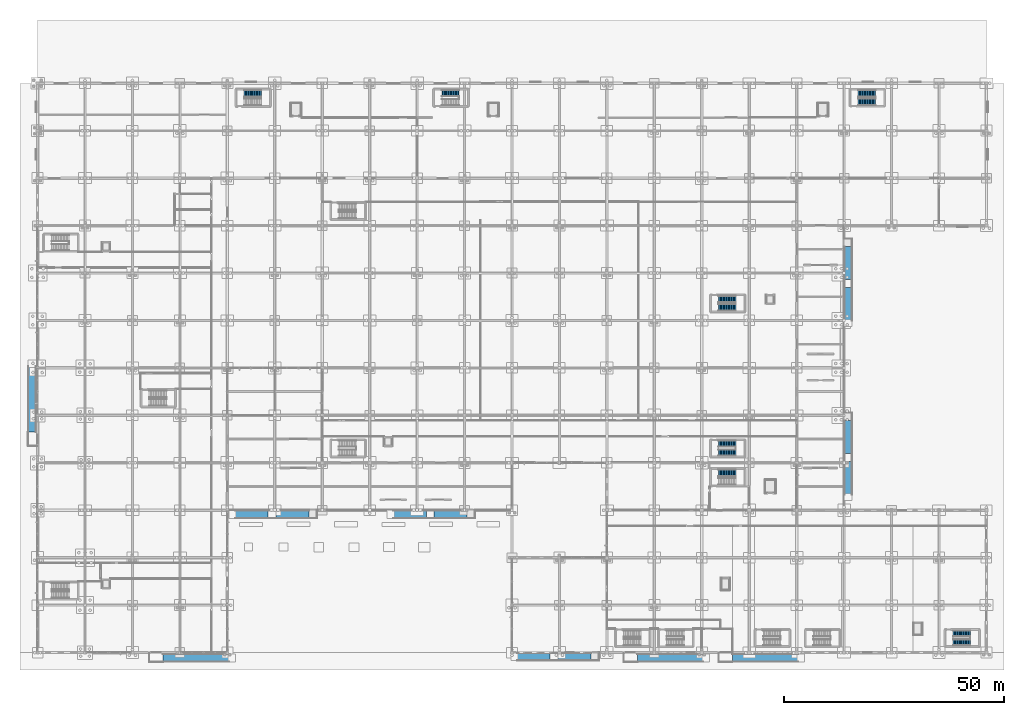
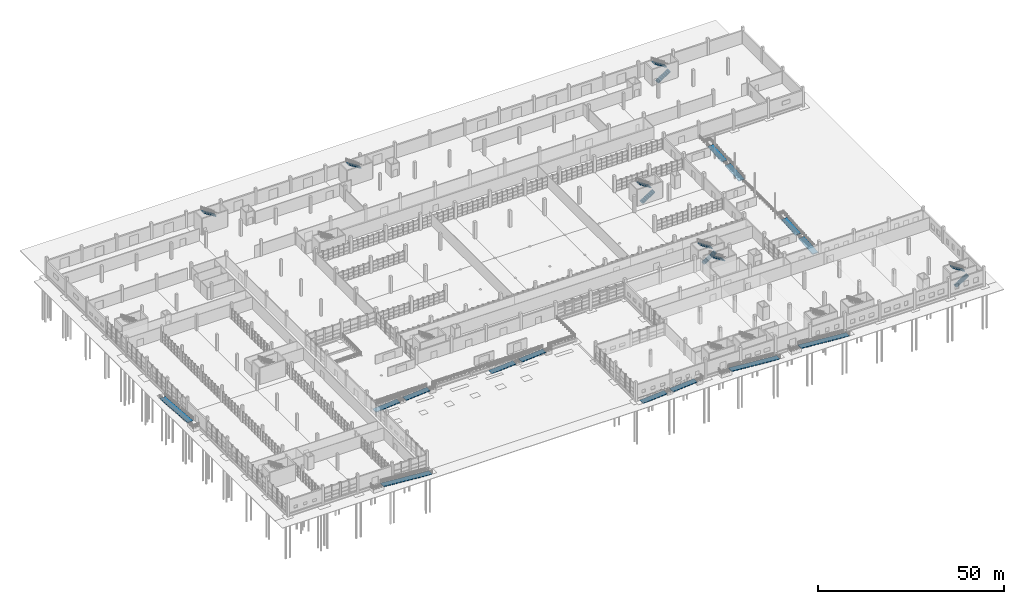
# One storey, part 118 of 138: 14 ramp flights, 11 stair flights, 16 elements without a shape of their own.
"""IFC4 building model written with IfcOpenShell, lengths in metres."""

import ifcopenshell
import ifcopenshell.guid

model = None  # the IFC model being written
_history = None  # IfcOwnerHistory: only IFC2X3 demands one
_inside = {}  # id of a spatial element -> (the spatial element, [elements in it])
_under = {}  # id of a project, library or spatial element -> (it, [spatial elements below it])
_declared = {}  # id of a project -> (the project, [libraries it declares])
_typed = {}  # id of a type object -> (the type object, [elements of that type])
_made_of = {}  # id of a material, layer set ... -> (it, [elements and type objects made of it])


def new_model(schema):
    """Start an empty IFC model of exactly this schema.

    Asked for "IFC4X3", IfcOpenShell would pick the latest addendum, in which some entities
    have other attributes; the version numbers below select the first issue.
    IFC2X3 requires an IfcOwnerHistory on every rooted entity: one is made here for all.
    """
    global model, _history
    if schema == "IFC4X3":
        model = ifcopenshell.file(schema_version=(4, 3, 0, 0))
    else:
        model = ifcopenshell.file(schema=schema)
    _inside.clear()
    _under.clear()
    _declared.clear()
    _typed.clear()
    _made_of.clear()
    _history = None
    if model.schema == "IFC2X3":
        org = make("IfcOrganization", Name="unknown")
        user = make(
            "IfcPersonAndOrganization",
            ThePerson=make("IfcPerson", FamilyName="unknown"),
            TheOrganization=org,
        )
        app = make(
            "IfcApplication",
            ApplicationDeveloper=org,
            Version="unknown",
            ApplicationFullName="unknown",
            ApplicationIdentifier="unknown",
        )
        _history = make(
            "IfcOwnerHistory",
            OwningUser=user,
            OwningApplication=app,
            ChangeAction="ADDED",
            CreationDate=0,
        )
    return model


def make(cls, **values):
    """One entity of the class cls with the attributes given. An attribute that is None is left unset."""
    return model.create_entity(
        cls, **{name: value for name, value in values.items() if value is not None}
    )


def rooted(cls, **values):
    """An entity with a GlobalId (a new one), such as an element, a storey or a relation."""
    return make(cls, GlobalId=ifcopenshell.guid.new(), OwnerHistory=_history, **values)


def si_unit(unit_type, name, prefix=None):
    """IfcSIUnit, for example si_unit("LENGTHUNIT", "METRE", prefix="MILLI")."""
    return make("IfcSIUnit", UnitType=unit_type, Prefix=prefix, Name=name)


def assignment(units):
    """IfcUnitAssignment: the units of a project."""
    return None if units is None else make("IfcUnitAssignment", Units=units)


def point(xyz):
    """IfcCartesianPoint."""
    return None if xyz is None else make("IfcCartesianPoint", Coordinates=xyz)


def direction(xyz):
    """IfcDirection."""
    return None if xyz is None else make("IfcDirection", DirectionRatios=xyz)


def frame(location, z_axis=None, x_axis=None):
    """IfcAxis2Placement3D, a coordinate frame: its origin and axes. An axis left out is left unset."""
    return make(
        "IfcAxis2Placement3D",
        Location=point(location),
        Axis=direction(z_axis),
        RefDirection=direction(x_axis),
    )


def origin():
    """The frame at (0, 0, 0) with its axes left unset."""
    return frame((0.0, 0.0, 0.0))


def place(relative_to, where):
    """IfcLocalPlacement: puts the frame where relative to a parent placement (None: the world)."""
    return make(
        "IfcLocalPlacement", PlacementRelTo=relative_to, RelativePlacement=where
    )


def context(
    kind, dimensions, precision=None, world=None, true_north=None, identifier=None
):
    """IfcGeometricRepresentationContext, for example the 3D "Model" context."""
    return make(
        "IfcGeometricRepresentationContext",
        ContextIdentifier=identifier,
        ContextType=kind,
        CoordinateSpaceDimension=dimensions,
        Precision=precision,
        WorldCoordinateSystem=world,
        TrueNorth=true_north,
    )


def subcontext(parent, identifier, kind, view, scale=None):
    """IfcGeometricRepresentationSubContext, for example "Body" below "Model"."""
    return make(
        "IfcGeometricRepresentationSubContext",
        ContextIdentifier=identifier,
        ContextType=kind,
        ParentContext=parent,
        TargetScale=scale,
        TargetView=view,
    )


def project(units=None, contexts=None):
    """IfcProject with its units and contexts."""
    return rooted(
        "IfcProject",
        Name="project",
        RepresentationContexts=contexts,
        UnitsInContext=assignment(units),
    )


def spatial(cls, under=None, at=None, **own):
    """A site, building, storey or space (cls), placed at a placement, below another one or the project."""
    s = rooted(cls, ObjectPlacement=at, **own)
    if under is not None:
        _under.setdefault(under.id(), (under, []))[1].append(s)
    return s


def polyline(points):
    """IfcPolyline through the points."""
    return make("IfcPolyline", Points=[point(p) for p in points])


def outline(outer, holes=None, kind="AREA"):
    """IfcArbitraryClosedProfileDef: a profile drawn as a closed curve; with holes, ...WithVoids."""
    if holes is None:
        return make("IfcArbitraryClosedProfileDef", ProfileType=kind, OuterCurve=outer)
    return make(
        "IfcArbitraryProfileDefWithVoids",
        ProfileType=kind,
        OuterCurve=outer,
        InnerCurves=holes,
    )


def extrude(swept, where, along, depth):
    """IfcExtrudedAreaSolid: the profile swept, set in the frame where, extruded along a direction by depth."""
    return make(
        "IfcExtrudedAreaSolid",
        SweptArea=swept,
        Position=where,
        ExtrudedDirection=direction(along),
        Depth=depth,
    )


def shape(context_of_items, identifier, shape_type, items):
    """IfcShapeRepresentation: the items that make up one representation, for example the "Body"."""
    return make(
        "IfcShapeRepresentation",
        ContextOfItems=context_of_items,
        RepresentationIdentifier=identifier,
        RepresentationType=shape_type,
        Items=items,
    )


def material(Name=None, Category=None):
    """IfcMaterial."""
    return make("IfcMaterial", Name=Name, Category=Category)


def layer(
    of_material, thickness, ventilated=None, Name=None, Category=None, Priority=None
):
    """IfcMaterialLayer: one layer of a wall or slab, of a material (None: an air gap)."""
    return make(
        "IfcMaterialLayer",
        Material=of_material,
        LayerThickness=thickness,
        IsVentilated=ventilated,
        Name=Name,
        Category=Category,
        Priority=Priority,
    )


def layer_set(layers, Name=None):
    """IfcMaterialLayerSet."""
    return make("IfcMaterialLayerSet", MaterialLayers=layers, LayerSetName=Name)


def made_of(thing, what):
    """Note that an element or type object is made of a material, layer set ...; save() writes the relation."""
    if what is not None:
        _made_of.setdefault(what.id(), (what, []))[1].append(thing)
    return thing


def type_object(cls, material=None, **own):
    """A type object (cls), such as IfcWallType, which elements share."""
    return made_of(rooted(cls, **own), material)


def element(
    cls,
    number,
    at=None,
    inside=None,
    cuts=None,
    type_object=None,
    material=None,
    context=None,
    identifier="Body",
    shape_type=None,
    held_by="IfcProductDefinitionShape",
    body=None,
    shapes=None,
    **own,
):
    """One element of the class cls, such as IfcWall. Its Tag is "e" and its number.

    at: its placement. inside: the storey or other place that contains it. cuts: it is an
    opening in that element (IfcRelVoidsElement). A single representation is given by context,
    identifier, shape_type and body (its items); several are given by shapes. held_by: the class
    of the entity that holds the representations. save() writes the other relations.
    """
    e = rooted(cls, Tag="e%d" % number, ObjectPlacement=at, **own)
    if body is not None:
        shapes = [shape(context, identifier, shape_type, body)]
    if shapes is not None:
        e.Representation = make(held_by, Representations=shapes)
    if inside is not None:
        _inside.setdefault(inside.id(), (inside, []))[1].append(e)
    if cuts is not None:
        rooted(
            "IfcRelVoidsElement", RelatingBuildingElement=cuts, RelatedOpeningElement=e
        )
    if type_object is not None:
        _typed.setdefault(type_object.id(), (type_object, []))[1].append(e)
    return made_of(e, material)


def aggregate(whole, parts):
    """IfcRelAggregates: a whole, such as a stair, and the parts it consists of."""
    return rooted("IfcRelAggregates", RelatingObject=whole, RelatedObjects=parts)


def save(model, path):
    """Write the relations noted so far, then the file.

    IfcRelAggregates (storeys below a building ...), IfcRelContainedInSpatialStructure (elements
    in a storey), IfcRelDefinesByType, IfcRelAssociatesMaterial and IfcRelDeclares: one each for
    every whole, place, type object, material and project.
    """
    for whole, parts in _under.values():
        aggregate(whole, parts)
    for where, things in _inside.values():
        rooted(
            "IfcRelContainedInSpatialStructure",
            RelatedElements=things,
            RelatingStructure=where,
        )
    for kind, things in _typed.values():
        rooted("IfcRelDefinesByType", RelatedObjects=things, RelatingType=kind)
    for what, things in _made_of.values():
        rooted("IfcRelAssociatesMaterial", RelatedObjects=things, RelatingMaterial=what)
    for by, libraries in _declared.values():
        rooted("IfcRelDeclares", RelatingContext=by, RelatedDefinitions=libraries)
    model.write(path)


model = new_model("IFC4")

# Units and contexts
model_context = context("Model", 3, precision=1e-05, world=origin(), true_north=direction((0.0, 1.0)))
body_context = subcontext(model_context, "Body", "Model", "MODEL_VIEW")
ifc_project = project(units=[si_unit("LENGTHUNIT", "METRE"), si_unit("AREAUNIT", "SQUARE_METRE"), si_unit("VOLUMEUNIT", "CUBIC_METRE"), si_unit("PLANEANGLEUNIT", "RADIAN"), si_unit("MASSUNIT", "GRAM", prefix="KILO")], contexts=[model_context])

# Site, building, storey
site_placement = place(None, origin())
site = spatial("IfcSite", under=ifc_project, at=site_placement, CompositionType="ELEMENT")
building_placement = place(site_placement, origin())
building = spatial("IfcBuilding", under=site, at=building_placement, Name="Zwinboog Wholesale Market", CompositionType="ELEMENT")
storey_placement = place(building_placement, origin())
storey = spatial("IfcBuildingStorey", under=building, at=storey_placement, Name="L00", CompositionType="ELEMENT", Elevation=0.0)

# Stair, stair flight
ifc_material = material(Name="Concrete C40/50", Category="concrete")
stair_type_1 = type_object("IfcStairType", Name="STT-DOG-145", PredefinedType="HALF_TURN_STAIR", material=ifc_material)
stair_1_placement = place(storey_placement, origin())
stair_1 = element("IfcStair", 1, at=stair_1_placement, inside=storey, type_object=stair_type_1, Name="Enclosed Escape Stair ST-04", PredefinedType="HALF_TURN_STAIR")
stair_flight_type_1 = type_object("IfcStairFlightType", Name="SFT-145", PredefinedType="STRAIGHT", material=ifc_material)
stair_flight_1_placement = place(storey_placement, frame((95.93994140625, 127.320068359375, 2.699951171875), z_axis=(0.0, 0.0, 1.0), x_axis=(-1.0, 0.0, 0.0)))
stair_flight_1 = element("IfcStairFlight", 2, at=stair_flight_1_placement, type_object=stair_flight_type_1, Name="ST-04 flight 2", NumberOfRisers=15, NumberOfTreads=14, PredefinedType="STRAIGHT", RiserHeight=0.18, TreadLength=0.28, context=body_context, shape_type="SweptSolid", body=[
    extrude(outline(polyline([(0.0, 0.0), (0.0, 0.179931640625), (0.280029296875, 0.179931640625), (0.280029296875, 0.360107421875), (0.56005859375, 0.360107421875), (0.56005859375, 0.5400390625), (0.840087890625, 0.5400390625), (0.840087890625, 0.719970703125), (1.1201171875, 0.719970703125), (1.1201171875, 0.89990234375), (1.39990234375, 0.89990234375), (1.39990234375, 1.080078125), (1.679931640625, 1.080078125), (1.679931640625, 1.260009765625), (1.9599609375, 1.260009765625), (1.9599609375, 1.43994140625), (2.239990234375, 1.43994140625), (2.239990234375, 1.6201171875), (2.52001953125, 1.6201171875), (2.52001953125, 1.800048828125), (2.800048828125, 1.800048828125), (2.800048828125, 1.97998046875), (3.080078125, 1.97998046875), (3.080078125, 2.159912109375), (3.360107421875, 2.159912109375), (3.360107421875, 2.340087890625), (3.639892578125, 2.340087890625), (3.639892578125, 2.52001953125), (3.919921875, 2.52001953125), (3.919921875, 2.699951171875), (3.919921875, 2.30615234375), (0.332763671875, 0.0), (0.0, 0.0)])), frame((0.0, 0.719970703125, 0.0), z_axis=(0.0, -1.0, 0.0), x_axis=(1.0, 0.0, 0.0)), (0.0, 0.0, 1.0), 1.43994140625),
])
aggregate(stair_1, [stair_flight_1])

# Stair, stair flights
stair_2_placement = place(storey_placement, origin())
stair_2 = element("IfcStair", 3, at=stair_2_placement, inside=storey, type_object=stair_type_1, Name="Enclosed Escape Stair ST-08A", PredefinedType="HALF_TURN_STAIR")
stair_flight_2_placement = place(storey_placement, frame((208.419921875, 2.280029296875, 0.0), z_axis=(0.0, 0.0, 1.0), x_axis=(1.0, 0.0, 0.0)))
stair_flight_2 = element("IfcStairFlight", 4, at=stair_flight_2_placement, type_object=stair_flight_type_1, Name="ST-08A flight 1", NumberOfRisers=15, NumberOfTreads=14, PredefinedType="STRAIGHT", RiserHeight=0.18, TreadLength=0.28, context=body_context, shape_type="SweptSolid", body=[
    extrude(outline(polyline([(0.0, 0.0), (0.0, 0.179931640625), (0.280029296875, 0.179931640625), (0.280029296875, 0.360107421875), (0.56005859375, 0.360107421875), (0.56005859375, 0.5400390625), (0.840087890625, 0.5400390625), (0.840087890625, 0.719970703125), (1.1201171875, 0.719970703125), (1.1201171875, 0.89990234375), (1.39990234375, 0.89990234375), (1.39990234375, 1.080078125), (1.679931640625, 1.080078125), (1.679931640625, 1.260009765625), (1.9599609375, 1.260009765625), (1.9599609375, 1.43994140625), (2.239990234375, 1.43994140625), (2.239990234375, 1.6201171875), (2.52001953125, 1.6201171875), (2.52001953125, 1.800048828125), (2.800048828125, 1.800048828125), (2.800048828125, 1.97998046875), (3.080078125, 1.97998046875), (3.080078125, 2.159912109375), (3.360107421875, 2.159912109375), (3.360107421875, 2.340087890625), (3.639892578125, 2.340087890625), (3.639892578125, 2.52001953125), (3.919921875, 2.52001953125), (3.919921875, 2.699951171875), (3.919921875, 2.30615234375), (0.332763671875, 0.0), (0.0, 0.0)])), frame((0.0, 0.719970703125, 0.0), z_axis=(0.0, -1.0, 0.0), x_axis=(1.0, 0.0, 0.0)), (0.0, 0.0, 1.0), 1.43994140625),
])
stair_flight_3_placement = place(storey_placement, frame((212.340087890625, 4.320068359375, 2.699951171875), z_axis=(0.0, 0.0, 1.0), x_axis=(-1.0, 0.0, 0.0)))
stair_flight_3 = element("IfcStairFlight", 5, at=stair_flight_3_placement, type_object=stair_flight_type_1, Name="ST-08A flight 2", NumberOfRisers=15, NumberOfTreads=14, PredefinedType="STRAIGHT", RiserHeight=0.18, TreadLength=0.28, context=body_context, shape_type="SweptSolid", body=[
    extrude(outline(polyline([(0.0, 0.0), (0.0, 0.179931640625), (0.280029296875, 0.179931640625), (0.280029296875, 0.360107421875), (0.56005859375, 0.360107421875), (0.56005859375, 0.5400390625), (0.840087890625, 0.5400390625), (0.840087890625, 0.719970703125), (1.1201171875, 0.719970703125), (1.1201171875, 0.89990234375), (1.39990234375, 0.89990234375), (1.39990234375, 1.080078125), (1.679931640625, 1.080078125), (1.679931640625, 1.260009765625), (1.9599609375, 1.260009765625), (1.9599609375, 1.43994140625), (2.239990234375, 1.43994140625), (2.239990234375, 1.6201171875), (2.52001953125, 1.6201171875), (2.52001953125, 1.800048828125), (2.800048828125, 1.800048828125), (2.800048828125, 1.97998046875), (3.080078125, 1.97998046875), (3.080078125, 2.159912109375), (3.360107421875, 2.159912109375), (3.360107421875, 2.340087890625), (3.639892578125, 2.340087890625), (3.639892578125, 2.52001953125), (3.919921875, 2.52001953125), (3.919921875, 2.699951171875), (3.919921875, 2.30615234375), (0.332763671875, 0.0), (0.0, 0.0)])), frame((0.0, 0.719970703125, 0.0), z_axis=(0.0, -1.0, 0.0), x_axis=(1.0, 0.0, 0.0)), (0.0, 0.0, 1.0), 1.43994140625),
])
aggregate(stair_2, [stair_flight_2, stair_flight_3])

stair_3_placement = place(storey_placement, origin())
stair_3 = element("IfcStair", 6, at=stair_3_placement, inside=storey, type_object=stair_type_1, Name="Enclosed Escape Stair ST-15", PredefinedType="HALF_TURN_STAIR")
stair_flight_4_placement = place(storey_placement, frame((155.02001953125, 45.47998046875, 0.0), z_axis=(0.0, 0.0, 1.0), x_axis=(1.0, 0.0, 0.0)))
stair_flight_4 = element("IfcStairFlight", 7, at=stair_flight_4_placement, type_object=stair_flight_type_1, Name="ST-15 flight 1", NumberOfRisers=15, NumberOfTreads=14, PredefinedType="STRAIGHT", RiserHeight=0.18, TreadLength=0.28, context=body_context, shape_type="SweptSolid", body=[
    extrude(outline(polyline([(0.0, 0.0), (0.0, 0.179931640625), (0.280029296875, 0.179931640625), (0.280029296875, 0.360107421875), (0.56005859375, 0.360107421875), (0.56005859375, 0.5400390625), (0.840087890625, 0.5400390625), (0.840087890625, 0.719970703125), (1.1201171875, 0.719970703125), (1.1201171875, 0.89990234375), (1.39990234375, 0.89990234375), (1.39990234375, 1.080078125), (1.679931640625, 1.080078125), (1.679931640625, 1.260009765625), (1.9599609375, 1.260009765625), (1.9599609375, 1.43994140625), (2.239990234375, 1.43994140625), (2.239990234375, 1.6201171875), (2.52001953125, 1.6201171875), (2.52001953125, 1.800048828125), (2.800048828125, 1.800048828125), (2.800048828125, 1.97998046875), (3.080078125, 1.97998046875), (3.080078125, 2.159912109375), (3.360107421875, 2.159912109375), (3.360107421875, 2.340087890625), (3.639892578125, 2.340087890625), (3.639892578125, 2.52001953125), (3.919921875, 2.52001953125), (3.919921875, 2.699951171875), (3.919921875, 2.30615234375), (0.332763671875, 0.0), (0.0, 0.0)])), frame((0.0, 0.719970703125, 0.0), z_axis=(0.0, -1.0, 0.0), x_axis=(1.0, 0.0, 0.0)), (0.0, 0.0, 1.0), 1.43994140625),
])
stair_flight_5_placement = place(storey_placement, frame((158.93994140625, 47.52001953125, 2.699951171875), z_axis=(0.0, 0.0, 1.0), x_axis=(-1.0, 0.0, 0.0)))
stair_flight_5 = element("IfcStairFlight", 8, at=stair_flight_5_placement, type_object=stair_flight_type_1, Name="ST-15 flight 2", NumberOfRisers=15, NumberOfTreads=14, PredefinedType="STRAIGHT", RiserHeight=0.18, TreadLength=0.28, context=body_context, shape_type="SweptSolid", body=[
    extrude(outline(polyline([(0.0, 0.0), (0.0, 0.179931640625), (0.280029296875, 0.179931640625), (0.280029296875, 0.360107421875), (0.56005859375, 0.360107421875), (0.56005859375, 0.5400390625), (0.840087890625, 0.5400390625), (0.840087890625, 0.719970703125), (1.1201171875, 0.719970703125), (1.1201171875, 0.89990234375), (1.39990234375, 0.89990234375), (1.39990234375, 1.080078125), (1.679931640625, 1.080078125), (1.679931640625, 1.260009765625), (1.9599609375, 1.260009765625), (1.9599609375, 1.43994140625), (2.239990234375, 1.43994140625), (2.239990234375, 1.6201171875), (2.52001953125, 1.6201171875), (2.52001953125, 1.800048828125), (2.800048828125, 1.800048828125), (2.800048828125, 1.97998046875), (3.080078125, 1.97998046875), (3.080078125, 2.159912109375), (3.360107421875, 2.159912109375), (3.360107421875, 2.340087890625), (3.639892578125, 2.340087890625), (3.639892578125, 2.52001953125), (3.919921875, 2.52001953125), (3.919921875, 2.699951171875), (3.919921875, 2.30615234375), (0.332763671875, 0.0), (0.0, 0.0)])), frame((0.0, 0.719970703125, 0.0), z_axis=(0.0, -1.0, 0.0), x_axis=(1.0, 0.0, 0.0)), (0.0, 0.0, 1.0), 1.43994140625),
])
aggregate(stair_3, [stair_flight_4, stair_flight_5])

# Stair, stair flight
stair_type_2 = type_object("IfcStairType", Name="STT-DOG-160", PredefinedType="HALF_TURN_STAIR", material=ifc_material)
stair_4_placement = place(storey_placement, origin())
stair_4 = element("IfcStair", 9, at=stair_4_placement, inside=storey, type_object=stair_type_2, Name="Enclosed Escape Stair ST-03", PredefinedType="HALF_TURN_STAIR")
stair_flight_type_2 = type_object("IfcStairFlightType", Name="SFT-160", PredefinedType="STRAIGHT", material=ifc_material)
stair_flight_6_placement = place(storey_placement, frame((50.93994140625, 127.27001953125, 2.699951171875), z_axis=(0.0, 0.0, 1.0), x_axis=(-1.0, 0.0, 0.0)))
stair_flight_6 = element("IfcStairFlight", 10, at=stair_flight_6_placement, type_object=stair_flight_type_2, Name="ST-03 flight 2", NumberOfRisers=15, NumberOfTreads=14, PredefinedType="STRAIGHT", RiserHeight=0.18, TreadLength=0.28, context=body_context, shape_type="SweptSolid", body=[
    extrude(outline(polyline([(0.0, 0.0), (0.0, 0.179931640625), (0.280029296875, 0.179931640625), (0.280029296875, 0.360107421875), (0.56005859375, 0.360107421875), (0.56005859375, 0.5400390625), (0.840087890625, 0.5400390625), (0.840087890625, 0.719970703125), (1.1201171875, 0.719970703125), (1.1201171875, 0.89990234375), (1.39990234375, 0.89990234375), (1.39990234375, 1.080078125), (1.679931640625, 1.080078125), (1.679931640625, 1.260009765625), (1.9599609375, 1.260009765625), (1.9599609375, 1.43994140625), (2.239990234375, 1.43994140625), (2.239990234375, 1.6201171875), (2.52001953125, 1.6201171875), (2.52001953125, 1.800048828125), (2.800048828125, 1.800048828125), (2.800048828125, 1.97998046875), (3.080078125, 1.97998046875), (3.080078125, 2.159912109375), (3.360107421875, 2.159912109375), (3.360107421875, 2.340087890625), (3.639892578125, 2.340087890625), (3.639892578125, 2.52001953125), (3.919921875, 2.52001953125), (3.919921875, 2.699951171875), (3.919921875, 2.30615234375), (0.332763671875, 0.0), (0.0, 0.0)])), frame((0.0, 0.77001953125, 0.0), z_axis=(0.0, -1.0, 0.0), x_axis=(1.0, 0.0, 0.0)), (0.0, 0.0, 1.0), 1.5400390625),
])
aggregate(stair_4, [stair_flight_6])

# Stair, stair flights
stair_5_placement = place(storey_placement, origin())
stair_5 = element("IfcStair", 11, at=stair_5_placement, inside=storey, type_object=stair_type_2, Name="Enclosed Escape Stair ST-05", PredefinedType="HALF_TURN_STAIR")
stair_flight_7_placement = place(storey_placement, frame((186.820068359375, 125.330078125, 0.0), z_axis=(0.0, 0.0, 1.0), x_axis=(1.0, 0.0, 0.0)))
stair_flight_7 = element("IfcStairFlight", 12, at=stair_flight_7_placement, type_object=stair_flight_type_2, Name="ST-05 flight 1", NumberOfRisers=15, NumberOfTreads=14, PredefinedType="STRAIGHT", RiserHeight=0.18, TreadLength=0.28, context=body_context, shape_type="SweptSolid", body=[
    extrude(outline(polyline([(0.0, 0.0), (0.0, 0.179931640625), (0.280029296875, 0.179931640625), (0.280029296875, 0.360107421875), (0.56005859375, 0.360107421875), (0.56005859375, 0.5400390625), (0.840087890625, 0.5400390625), (0.840087890625, 0.719970703125), (1.1201171875, 0.719970703125), (1.1201171875, 0.89990234375), (1.39990234375, 0.89990234375), (1.39990234375, 1.080078125), (1.679931640625, 1.080078125), (1.679931640625, 1.260009765625), (1.9599609375, 1.260009765625), (1.9599609375, 1.43994140625), (2.239990234375, 1.43994140625), (2.239990234375, 1.6201171875), (2.52001953125, 1.6201171875), (2.52001953125, 1.800048828125), (2.800048828125, 1.800048828125), (2.800048828125, 1.97998046875), (3.080078125, 1.97998046875), (3.080078125, 2.159912109375), (3.360107421875, 2.159912109375), (3.360107421875, 2.340087890625), (3.639892578125, 2.340087890625), (3.639892578125, 2.52001953125), (3.919921875, 2.52001953125), (3.919921875, 2.699951171875), (3.919921875, 2.30615234375), (0.332763671875, 0.0), (0.0, 0.0)])), frame((0.0, 0.77001953125, 0.0), z_axis=(0.0, -1.0, 0.0), x_axis=(1.0, 0.0, 0.0)), (0.0, 0.0, 1.0), 1.5400390625),
])
stair_flight_8_placement = place(storey_placement, frame((190.739990234375, 127.27001953125, 2.699951171875), z_axis=(0.0, 0.0, 1.0), x_axis=(-1.0, 0.0, 0.0)))
stair_flight_8 = element("IfcStairFlight", 13, at=stair_flight_8_placement, type_object=stair_flight_type_2, Name="ST-05 flight 2", NumberOfRisers=15, NumberOfTreads=14, PredefinedType="STRAIGHT", RiserHeight=0.18, TreadLength=0.28, context=body_context, shape_type="SweptSolid", body=[
    extrude(outline(polyline([(0.0, 0.0), (0.0, 0.179931640625), (0.280029296875, 0.179931640625), (0.280029296875, 0.360107421875), (0.56005859375, 0.360107421875), (0.56005859375, 0.5400390625), (0.840087890625, 0.5400390625), (0.840087890625, 0.719970703125), (1.1201171875, 0.719970703125), (1.1201171875, 0.89990234375), (1.39990234375, 0.89990234375), (1.39990234375, 1.080078125), (1.679931640625, 1.080078125), (1.679931640625, 1.260009765625), (1.9599609375, 1.260009765625), (1.9599609375, 1.43994140625), (2.239990234375, 1.43994140625), (2.239990234375, 1.6201171875), (2.52001953125, 1.6201171875), (2.52001953125, 1.800048828125), (2.800048828125, 1.800048828125), (2.800048828125, 1.97998046875), (3.080078125, 1.97998046875), (3.080078125, 2.159912109375), (3.360107421875, 2.159912109375), (3.360107421875, 2.340087890625), (3.639892578125, 2.340087890625), (3.639892578125, 2.52001953125), (3.919921875, 2.52001953125), (3.919921875, 2.699951171875), (3.919921875, 2.30615234375), (0.332763671875, 0.0), (0.0, 0.0)])), frame((0.0, 0.77001953125, 0.0), z_axis=(0.0, -1.0, 0.0), x_axis=(1.0, 0.0, 0.0)), (0.0, 0.0, 1.0), 1.5400390625),
])
aggregate(stair_5, [stair_flight_7, stair_flight_8])

stair_6_placement = place(storey_placement, origin())
stair_6 = element("IfcStair", 14, at=stair_6_placement, inside=storey, type_object=stair_type_2, Name="Enclosed Escape Stair ST-07", PredefinedType="HALF_TURN_STAIR")
stair_flight_9_placement = place(storey_placement, frame((155.02001953125, 78.530029296875, 0.0), z_axis=(0.0, 0.0, 1.0), x_axis=(1.0, 0.0, 0.0)))
stair_flight_9 = element("IfcStairFlight", 15, at=stair_flight_9_placement, type_object=stair_flight_type_2, Name="ST-07 flight 1", NumberOfRisers=15, NumberOfTreads=14, PredefinedType="STRAIGHT", RiserHeight=0.18, TreadLength=0.28, context=body_context, shape_type="SweptSolid", body=[
    extrude(outline(polyline([(0.0, 0.0), (0.0, 0.179931640625), (0.280029296875, 0.179931640625), (0.280029296875, 0.360107421875), (0.56005859375, 0.360107421875), (0.56005859375, 0.5400390625), (0.840087890625, 0.5400390625), (0.840087890625, 0.719970703125), (1.1201171875, 0.719970703125), (1.1201171875, 0.89990234375), (1.39990234375, 0.89990234375), (1.39990234375, 1.080078125), (1.679931640625, 1.080078125), (1.679931640625, 1.260009765625), (1.9599609375, 1.260009765625), (1.9599609375, 1.43994140625), (2.239990234375, 1.43994140625), (2.239990234375, 1.6201171875), (2.52001953125, 1.6201171875), (2.52001953125, 1.800048828125), (2.800048828125, 1.800048828125), (2.800048828125, 1.97998046875), (3.080078125, 1.97998046875), (3.080078125, 2.159912109375), (3.360107421875, 2.159912109375), (3.360107421875, 2.340087890625), (3.639892578125, 2.340087890625), (3.639892578125, 2.52001953125), (3.919921875, 2.52001953125), (3.919921875, 2.699951171875), (3.919921875, 2.30615234375), (0.332763671875, 0.0), (0.0, 0.0)])), frame((0.0, 0.77001953125, 0.0), z_axis=(0.0, -1.0, 0.0), x_axis=(1.0, 0.0, 0.0)), (0.0, 0.0, 1.0), 1.5400390625),
])
stair_flight_10_placement = place(storey_placement, frame((158.93994140625, 80.469970703125, 2.699951171875), z_axis=(0.0, 0.0, 1.0), x_axis=(-1.0, 0.0, 0.0)))
stair_flight_10 = element("IfcStairFlight", 16, at=stair_flight_10_placement, type_object=stair_flight_type_2, Name="ST-07 flight 2", NumberOfRisers=15, NumberOfTreads=14, PredefinedType="STRAIGHT", RiserHeight=0.18, TreadLength=0.28, context=body_context, shape_type="SweptSolid", body=[
    extrude(outline(polyline([(0.0, 0.0), (0.0, 0.179931640625), (0.280029296875, 0.179931640625), (0.280029296875, 0.360107421875), (0.56005859375, 0.360107421875), (0.56005859375, 0.5400390625), (0.840087890625, 0.5400390625), (0.840087890625, 0.719970703125), (1.1201171875, 0.719970703125), (1.1201171875, 0.89990234375), (1.39990234375, 0.89990234375), (1.39990234375, 1.080078125), (1.679931640625, 1.080078125), (1.679931640625, 1.260009765625), (1.9599609375, 1.260009765625), (1.9599609375, 1.43994140625), (2.239990234375, 1.43994140625), (2.239990234375, 1.6201171875), (2.52001953125, 1.6201171875), (2.52001953125, 1.800048828125), (2.800048828125, 1.800048828125), (2.800048828125, 1.97998046875), (3.080078125, 1.97998046875), (3.080078125, 2.159912109375), (3.360107421875, 2.159912109375), (3.360107421875, 2.340087890625), (3.639892578125, 2.340087890625), (3.639892578125, 2.52001953125), (3.919921875, 2.52001953125), (3.919921875, 2.699951171875), (3.919921875, 2.30615234375), (0.332763671875, 0.0), (0.0, 0.0)])), frame((0.0, 0.77001953125, 0.0), z_axis=(0.0, -1.0, 0.0), x_axis=(1.0, 0.0, 0.0)), (0.0, 0.0, 1.0), 1.5400390625),
])
aggregate(stair_6, [stair_flight_9, stair_flight_10])

# Stair, stair flight
stair_7_placement = place(storey_placement, origin())
stair_7 = element("IfcStair", 17, at=stair_7_placement, inside=storey, type_object=stair_type_2, Name="Enclosed Escape Stair ST-12A", PredefinedType="HALF_TURN_STAIR")
stair_flight_11_placement = place(storey_placement, frame((158.93994140625, 40.8701171875, 2.699951171875), z_axis=(0.0, 0.0, 1.0), x_axis=(-1.0, 0.0, 0.0)))
stair_flight_11 = element("IfcStairFlight", 18, at=stair_flight_11_placement, type_object=stair_flight_type_2, Name="ST-12A flight 2", NumberOfRisers=15, NumberOfTreads=14, PredefinedType="STRAIGHT", RiserHeight=0.18, TreadLength=0.28, context=body_context, shape_type="SweptSolid", body=[
    extrude(outline(polyline([(0.0, 0.0), (0.0, 0.179931640625), (0.280029296875, 0.179931640625), (0.280029296875, 0.360107421875), (0.56005859375, 0.360107421875), (0.56005859375, 0.5400390625), (0.840087890625, 0.5400390625), (0.840087890625, 0.719970703125), (1.1201171875, 0.719970703125), (1.1201171875, 0.89990234375), (1.39990234375, 0.89990234375), (1.39990234375, 1.080078125), (1.679931640625, 1.080078125), (1.679931640625, 1.260009765625), (1.9599609375, 1.260009765625), (1.9599609375, 1.43994140625), (2.239990234375, 1.43994140625), (2.239990234375, 1.6201171875), (2.52001953125, 1.6201171875), (2.52001953125, 1.800048828125), (2.800048828125, 1.800048828125), (2.800048828125, 1.97998046875), (3.080078125, 1.97998046875), (3.080078125, 2.159912109375), (3.360107421875, 2.159912109375), (3.360107421875, 2.340087890625), (3.639892578125, 2.340087890625), (3.639892578125, 2.52001953125), (3.919921875, 2.52001953125), (3.919921875, 2.699951171875), (3.919921875, 2.30615234375), (0.332763671875, 0.0), (0.0, 0.0)])), frame((0.0, 0.77001953125, 0.0), z_axis=(0.0, -1.0, 0.0), x_axis=(1.0, 0.0, 0.0)), (0.0, 0.0, 1.0), 1.5400390625),
])
aggregate(stair_7, [stair_flight_11])

# Ramp, ramp flight
ramp_type = type_object("IfcRampType", Name="RMPT-PLINTH", PredefinedType="HALF_TURN_RAMP", material=ifc_material)
ramp_1_placement = place(storey_placement, origin())
ramp_1 = element("IfcRamp", 19, at=ramp_1_placement, inside=storey, type_object=ramp_type, Name="Exit Plinth Ramp 1", PredefinedType="HALF_TURN_RAMP")
ifc_layer = layer(ifc_material, 0.219970703125)
ifc_layer_set = layer_set([ifc_layer], Name="Concrete C40/50")
ramp_flight_type = type_object("IfcRampFlightType", Name="RMFT-PLINTH", PredefinedType="STRAIGHT", material=ifc_layer_set)
ramp_flight_1_placement = place(storey_placement, frame((-2.159912109375, 50.159912109375, 0.0), z_axis=(0.0, 0.079741998075, 0.996815536467), x_axis=(1.0, 0.0, 0.0)))
ramp_flight_1 = element("IfcRampFlight", 20, at=ramp_flight_1_placement, type_object=ramp_flight_type, Name="RMP-S1-F1 (RMP-STP-01-F1)", PredefinedType="STRAIGHT", context=body_context, shape_type="SweptSolid", body=[
    extrude(outline(polyline([(0.0, 0.0), (1.7998046875, 0.0), (1.7998046875, 15.047919551050377), (0.0, 15.047919551050377), (0.0, 0.0)])), origin(), (0.0, 0.0, -1.0), 0.219970703125),
])
aggregate(ramp_1, [ramp_flight_1])

ramp_2_placement = place(storey_placement, origin())
ramp_2 = element("IfcRamp", 21, at=ramp_2_placement, inside=storey, type_object=ramp_type, Name="Exit Plinth Ramp 2", PredefinedType="HALF_TURN_RAMP")
ramp_flight_2_placement = place(storey_placement, frame((28.56005859375, -2.159912109375, 0.0), z_axis=(0.079741998075, 0.0, 0.996815536467), x_axis=(0.996815536467, 0.0, -0.079741998075)))
ramp_flight_2 = element("IfcRampFlight", 22, at=ramp_flight_2_placement, type_object=ramp_flight_type, Name="RMP-S2-F1 (RMP-STP-02-F1)", PredefinedType="STRAIGHT", context=body_context, shape_type="SweptSolid", body=[
    extrude(outline(polyline([(0.0, 0.0), (15.047919551050377, 0.0), (15.047919551050377, 1.7998046875), (0.0, 1.7998046875), (0.0, 0.0)])), origin(), (0.0, 0.0, -1.0), 0.219970703125),
])
aggregate(ramp_2, [ramp_flight_2])

ramp_3_placement = place(storey_placement, origin())
ramp_3 = element("IfcRamp", 23, at=ramp_3_placement, inside=storey, type_object=ramp_type, Name="Exit Plinth Ramp 3", PredefinedType="HALF_TURN_RAMP")
ramp_flight_3_placement = place(storey_placement, frame((136.56005859375, -2.159912109375, 0.0), z_axis=(0.079741998075, 0.0, 0.996815536467), x_axis=(0.996815536467, 0.0, -0.079741998075)))
ramp_flight_3 = element("IfcRampFlight", 24, at=ramp_flight_3_placement, type_object=ramp_flight_type, Name="RMP-S3-F1 (RMP-STP-03-F1)", PredefinedType="STRAIGHT", context=body_context, shape_type="SweptSolid", body=[
    extrude(outline(polyline([(0.0, 0.0), (15.047919551050377, 0.0), (15.047919551050377, 1.7998046875), (0.0, 1.7998046875), (0.0, 0.0)])), origin(), (0.0, 0.0, -1.0), 0.219970703125),
])
aggregate(ramp_3, [ramp_flight_3])

ramp_4_placement = place(storey_placement, origin())
ramp_4 = element("IfcRamp", 25, at=ramp_4_placement, inside=storey, type_object=ramp_type, Name="Exit Plinth Ramp 4", PredefinedType="HALF_TURN_RAMP")
ramp_flight_4_placement = place(storey_placement, frame((158.159912109375, -2.159912109375, 0.0), z_axis=(0.079741998075, 0.0, 0.996815536467), x_axis=(0.996815536467, 0.0, -0.079741998075)))
ramp_flight_4 = element("IfcRampFlight", 26, at=ramp_flight_4_placement, type_object=ramp_flight_type, Name="RMP-S4-F1 (RMP-STP-04-F1)", PredefinedType="STRAIGHT", context=body_context, shape_type="SweptSolid", body=[
    extrude(outline(polyline([(0.0, 0.0), (15.047919551050377, 0.0), (15.047919551050377, 1.7998046875), (0.0, 1.7998046875), (0.0, 0.0)])), origin(), (0.0, 0.0, -1.0), 0.219970703125),
])
aggregate(ramp_4, [ramp_flight_4])

# Ramp, ramp flights
ramp_5_placement = place(storey_placement, origin())
ramp_5 = element("IfcRamp", 27, at=ramp_5_placement, inside=storey, type_object=ramp_type, Name="South Park West Accessible Ramp", PredefinedType="HALF_TURN_RAMP")
ramp_flight_5_placement = place(storey_placement, frame((45.0, 30.550048828125, -1.199951171875), z_axis=(-0.079725876999, 0.0, 0.99681682597), x_axis=(0.99681682597, 0.0, 0.079725876999)))
ramp_flight_5 = element("IfcRampFlight", 28, at=ramp_flight_5_placement, type_object=ramp_flight_type, Name="RMP-01-F1 (RMP-01-F1)", PredefinedType="STRAIGHT", context=body_context, shape_type="SweptSolid", body=[
    extrude(outline(polyline([(0.0, 0.0), (7.523950042378516, 0.0), (7.523950042378516, 1.800048828125), (0.0, 1.800048828125), (0.0, 0.0)])), origin(), (0.0, 0.0, -1.0), 0.219970703125),
])
ramp_flight_6_placement = place(storey_placement, frame((54.300048828125, 30.550048828125, -0.60009765625), z_axis=(-0.079758119089, 0.0, 0.996814246708), x_axis=(0.996814246708, 0.0, 0.079758119089)))
ramp_flight_6 = element("IfcRampFlight", 29, at=ramp_flight_6_placement, type_object=ramp_flight_type, Name="RMP-01-F2 (RMP-01-F2)", PredefinedType="STRAIGHT", context=body_context, shape_type="SweptSolid", body=[
    extrude(outline(polyline([(0.0, 0.0), (7.523969510639763, 0.0), (7.523969510639763, 1.800048828125), (0.0, 1.800048828125), (0.0, 0.0)])), origin(), (0.0, 0.0, -1.0), 0.219970703125),
])
aggregate(ramp_5, [ramp_flight_5, ramp_flight_6])

ramp_6_placement = place(storey_placement, origin())
ramp_6 = element("IfcRamp", 30, at=ramp_6_placement, inside=storey, type_object=ramp_type, Name="South Park Central Accessible Ramp", PredefinedType="HALF_TURN_RAMP")
ramp_flight_7_placement = place(storey_placement, frame((81.0, 30.550048828125, -1.199951171875), z_axis=(-0.079725876999, 0.0, 0.99681682597), x_axis=(0.99681682597, 0.0, 0.079725876999)))
ramp_flight_7 = element("IfcRampFlight", 31, at=ramp_flight_7_placement, type_object=ramp_flight_type, Name="RMP-02-F1 (RMP-02-F1)", PredefinedType="STRAIGHT", context=body_context, shape_type="SweptSolid", body=[
    extrude(outline(polyline([(0.0, 0.0), (7.523950042378516, 0.0), (7.523950042378516, 1.800048828125), (0.0, 1.800048828125), (0.0, 0.0)])), origin(), (0.0, 0.0, -1.0), 0.219970703125),
])
ramp_flight_8_placement = place(storey_placement, frame((90.300048828125, 30.550048828125, -0.60009765625), z_axis=(-0.079758119089, 0.0, 0.996814246708), x_axis=(0.996814246708, 0.0, 0.079758119089)))
ramp_flight_8 = element("IfcRampFlight", 32, at=ramp_flight_8_placement, type_object=ramp_flight_type, Name="RMP-02-F2 (RMP-02-F2)", PredefinedType="STRAIGHT", context=body_context, shape_type="SweptSolid", body=[
    extrude(outline(polyline([(0.0, 0.0), (7.523969510639763, 0.0), (7.523969510639763, 1.800048828125), (0.0, 1.800048828125), (0.0, 0.0)])), origin(), (0.0, 0.0, -1.0), 0.219970703125),
])
aggregate(ramp_6, [ramp_flight_7, ramp_flight_8])

ramp_7_placement = place(storey_placement, origin())
ramp_7 = element("IfcRamp", 33, at=ramp_7_placement, inside=storey, type_object=ramp_type, Name="Park Cafe South Accessible Ramp", PredefinedType="HALF_TURN_RAMP")
ramp_flight_9_placement = place(storey_placement, frame((109.199951171875, -1.85009765625, -1.199951171875), z_axis=(-0.079725876999, 0.0, 0.99681682597), x_axis=(0.99681682597, 0.0, 0.079725876999)))
ramp_flight_9 = element("IfcRampFlight", 34, at=ramp_flight_9_placement, type_object=ramp_flight_type, Name="RMP-03-F1 (RMP-03-F1)", PredefinedType="STRAIGHT", context=body_context, shape_type="SweptSolid", body=[
    extrude(outline(polyline([(0.0, 0.0), (7.523950042378516, 0.0), (7.523950042378516, 1.800048828125), (0.0, 1.800048828125), (0.0, 0.0)])), origin(), (0.0, 0.0, -1.0), 0.219970703125),
])
ramp_flight_10_placement = place(storey_placement, frame((118.5, -1.85009765625, -0.60009765625), z_axis=(-0.079758119089, 0.0, 0.996814246708), x_axis=(0.996814246708, 0.0, 0.079758119089)))
ramp_flight_10 = element("IfcRampFlight", 35, at=ramp_flight_10_placement, type_object=ramp_flight_type, Name="RMP-03-F2 (RMP-03-F2)", PredefinedType="STRAIGHT", context=body_context, shape_type="SweptSolid", body=[
    extrude(outline(polyline([(0.0, 0.0), (7.523969510639763, 0.0), (7.523969510639763, 1.800048828125), (0.0, 1.800048828125), (0.0, 0.0)])), origin(), (0.0, 0.0, -1.0), 0.219970703125),
])
aggregate(ramp_7, [ramp_flight_9, ramp_flight_10])

ramp_8_placement = place(storey_placement, origin())
ramp_8 = element("IfcRamp", 36, at=ramp_8_placement, inside=storey, type_object=ramp_type, Name="East Forecourt South Accessible Ramp", PredefinedType="HALF_TURN_RAMP")
ramp_flight_11_placement = place(storey_placement, frame((183.64990234375, 36.0, -1.199951171875), z_axis=(0.0, -0.079725876999, 0.99681682597), x_axis=(1.0, 0.0, 0.0)))
ramp_flight_11 = element("IfcRampFlight", 37, at=ramp_flight_11_placement, type_object=ramp_flight_type, Name="RMP-04-F1 (RMP-04-F1)", PredefinedType="STRAIGHT", context=body_context, shape_type="SweptSolid", body=[
    extrude(outline(polyline([(0.0, 0.0), (1.800048828125, 0.0), (1.800048828125, 7.523950042378516), (0.0, 7.523950042378516), (0.0, 0.0)])), origin(), (0.0, 0.0, -1.0), 0.219970703125),
])
ramp_flight_12_placement = place(storey_placement, frame((183.64990234375, 45.300048828125, -0.60009765625), z_axis=(0.0, -0.079758119089, 0.996814246708), x_axis=(1.0, 0.0, 0.0)))
ramp_flight_12 = element("IfcRampFlight", 38, at=ramp_flight_12_placement, type_object=ramp_flight_type, Name="RMP-04-F2 (RMP-04-F2)", PredefinedType="STRAIGHT", context=body_context, shape_type="SweptSolid", body=[
    extrude(outline(polyline([(0.0, 0.0), (1.800048828125, 0.0), (1.800048828125, 7.523969510639763), (0.0, 7.523969510639763), (0.0, 0.0)])), origin(), (0.0, 0.0, -1.0), 0.219970703125),
])
aggregate(ramp_8, [ramp_flight_11, ramp_flight_12])

ramp_9_placement = place(storey_placement, origin())
ramp_9 = element("IfcRamp", 39, at=ramp_9_placement, inside=storey, type_object=ramp_type, Name="East Forecourt North Accessible Ramp", PredefinedType="HALF_TURN_RAMP")
ramp_flight_13_placement = place(storey_placement, frame((183.64990234375, 75.60009765625, -1.199951171875), z_axis=(0.0, -0.079725876999, 0.99681682597), x_axis=(1.0, 0.0, 0.0)))
ramp_flight_13 = element("IfcRampFlight", 40, at=ramp_flight_13_placement, type_object=ramp_flight_type, Name="RMP-05-F1 (RMP-05-F1)", PredefinedType="STRAIGHT", context=body_context, shape_type="SweptSolid", body=[
    extrude(outline(polyline([(0.0, 0.0), (1.800048828125, 0.0), (1.800048828125, 7.523950042378516), (0.0, 7.523950042378516), (0.0, 0.0)])), origin(), (0.0, 0.0, -1.0), 0.219970703125),
])
ramp_flight_14_placement = place(storey_placement, frame((183.64990234375, 84.89990234375, -0.60009765625), z_axis=(0.0, -0.079758119089, 0.996814246708), x_axis=(1.0, 0.0, 0.0)))
ramp_flight_14 = element("IfcRampFlight", 41, at=ramp_flight_14_placement, type_object=ramp_flight_type, Name="RMP-05-F2 (RMP-05-F2)", PredefinedType="STRAIGHT", context=body_context, shape_type="SweptSolid", body=[
    extrude(outline(polyline([(0.0, 0.0), (1.800048828125, 0.0), (1.800048828125, 7.523969510639763), (0.0, 7.523969510639763), (0.0, 0.0)])), origin(), (0.0, 0.0, -1.0), 0.219970703125),
])
aggregate(ramp_9, [ramp_flight_13, ramp_flight_14])

save(model, "model.ifc")
